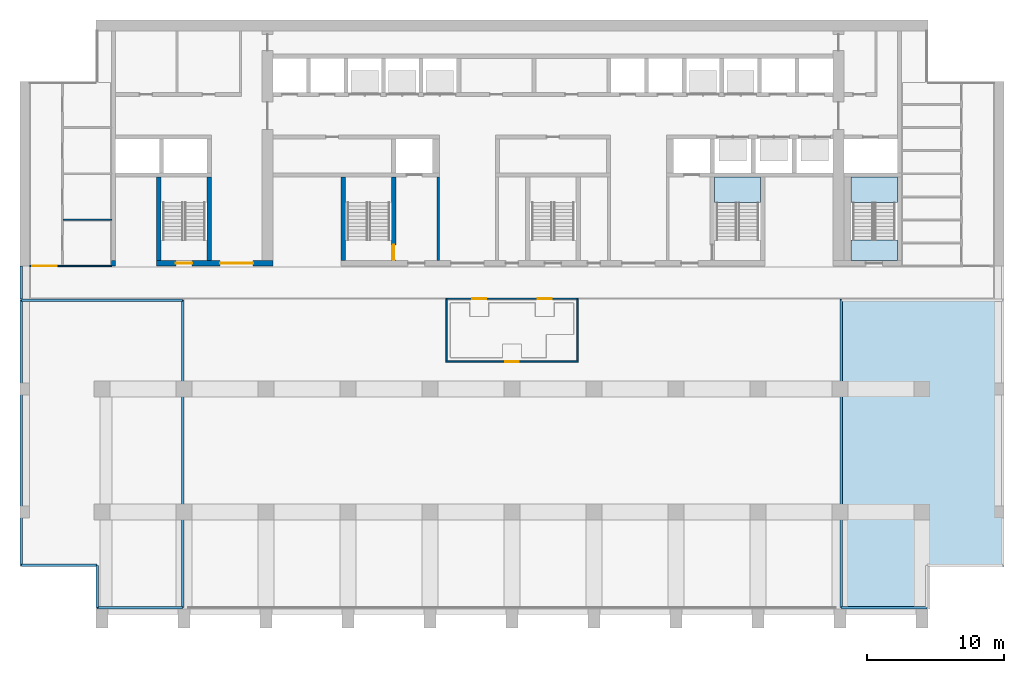
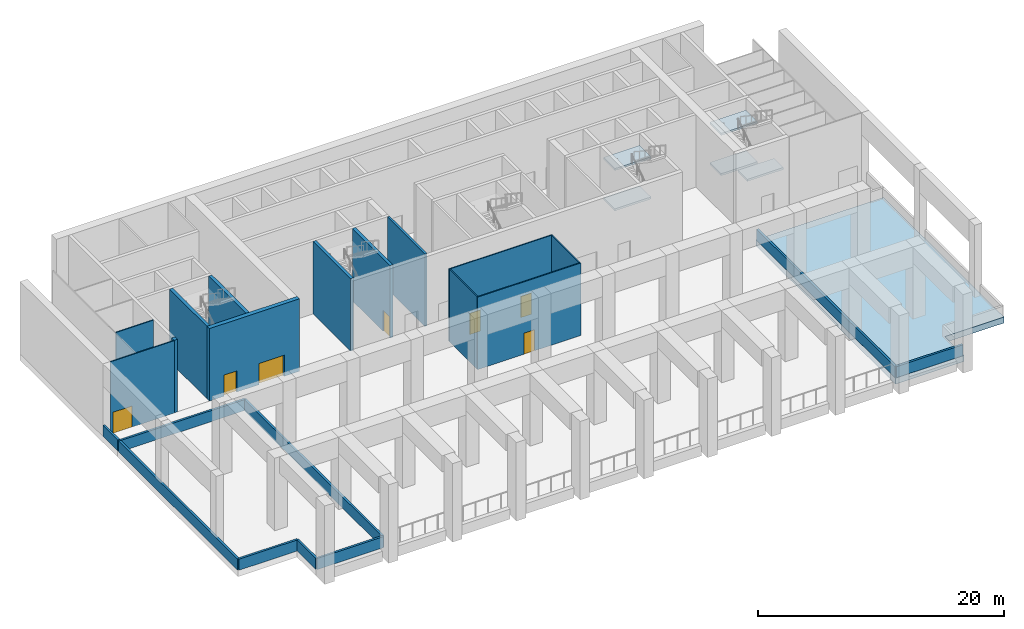
# One storey, part 2 of 10: 22 walls, 7 doors, 6 slabs, 7 openings, 2 elements without a shape of their own.
"""IFC4 building model written with IfcOpenShell, lengths in metres."""

from ifc_helpers import new_model, si_unit, direction, frame, frame_2d, origin, place, context, subcontext, project, spatial, polyline, rectangle, outline, extrude, material, layer, layer_set, type_object, element, fill, aggregate, save


model = new_model("IFC4")

# Units and contexts
model_context = context("Model", 3, precision=1e-05, world=origin(), true_north=direction((0.0, 1.0)))
body_context = subcontext(model_context, "Body", "Model", "MODEL_VIEW")
ifc_project = project(units=[si_unit("LENGTHUNIT", "METRE"), si_unit("AREAUNIT", "SQUARE_METRE"), si_unit("VOLUMEUNIT", "CUBIC_METRE"), si_unit("PLANEANGLEUNIT", "RADIAN"), si_unit("MASSUNIT", "GRAM", prefix="KILO")], contexts=[model_context])

# Site, building, storey
site_placement = place(None, origin())
site = spatial("IfcSite", under=ifc_project, at=site_placement, CompositionType="ELEMENT")
building_placement = place(site_placement, origin())
building = spatial("IfcBuilding", under=site, at=building_placement, Name="Calvaro Tower", CompositionType="ELEMENT")
storey_placement = place(building_placement, frame((0.0, 0.0, 158.75)))
storey = spatial("IfcBuildingStorey", under=building, at=storey_placement, Name="L40", CompositionType="ELEMENT", Elevation=158.75)

# Slab
ifc_material_1 = material(Name="Concrete C40/50", Category="concrete")
ifc_layer_1 = layer(ifc_material_1, 0.60009765625)
ifc_layer_set_1 = layer_set([ifc_layer_1], Name="Concrete C40/50")
slab_type_1 = type_object("IfcSlabType", Name="Maintenance roof slab 600 C40/50", PredefinedType="ROOF", material=ifc_layer_set_1)
slab_1_placement = place(storey_placement, frame((0.0, 0.0, -0.60009765625)))
element("IfcSlab", 1, at=slab_1_placement, inside=storey, type_object=slab_type_1, Name="Maintenance roof slab", PredefinedType="ROOF", context=body_context, shape_type="SweptSolid", body=[
    extrude(outline(polyline([(72.0, 25.60009765625), (72.0, 6.0), (66.449951171875, 6.0), (66.449951171875, 2.89990234375), (60.0, 2.89990234375), (60.0, 25.60009765625), (72.0, 25.60009765625)])), origin(), (0.0, 0.0, 1.0), 0.60009765625),
])

# Stair, slabs
ifc_material_2 = material(Name="Concrete C40/50", Category="concrete")
stair_type = type_object("IfcStairType", Name="Exit stair 1400 4 flights", PredefinedType="DOUBLE_RETURN_STAIR", material=ifc_material_2)
stair_1_placement = place(storey_placement, origin())
stair_1 = element("IfcStair", 2, at=stair_1_placement, inside=storey, type_object=stair_type, Name="Exit stair S4", PredefinedType="DOUBLE_RETURN_STAIR")
ifc_material_3 = material(Name="Concrete C40/50", Category="concrete")
ifc_layer_2 = layer(ifc_material_3, 0.199951171875)
ifc_layer_set_2 = layer_set([ifc_layer_2], Name="Concrete C40/50")
slab_type_2 = type_object("IfcSlabType", Name="Stair landing", PredefinedType="LANDING", material=ifc_layer_set_2)
slab_2_placement = place(storey_placement, frame((0.0, 0.0, 1.800048828125)))
slab_2 = element("IfcSlab", 3, at=slab_2_placement, type_object=slab_type_2, Name="Exit stair 4, landing 1", PredefinedType="LANDING", context=body_context, shape_type="SweptSolid", body=[
    extrude(outline(polyline([(52.39990234375, 32.639892578125), (51.0, 32.639892578125), (51.0, 32.64990234375), (50.800048828125, 32.64990234375), (50.800048828125, 34.5), (51.0, 34.5), (52.39990234375, 34.5), (52.60009765625, 34.5), (54.0, 34.5), (54.199951171875, 34.5), (54.199951171875, 32.64990234375), (54.0, 32.64990234375), (54.0, 32.639892578125), (52.60009765625, 32.639892578125), (52.60009765625, 32.64990234375), (52.39990234375, 32.64990234375), (52.39990234375, 32.639892578125)])), origin(), (0.0, 0.0, 1.0), 0.199951171875),
])
slab_3_placement = place(storey_placement, frame((0.0, 0.0, 5.800048828125)))
slab_3 = element("IfcSlab", 4, at=slab_3_placement, type_object=slab_type_2, Name="Exit stair 4, landing 3", PredefinedType="LANDING", context=body_context, shape_type="SweptSolid", body=[
    extrude(outline(polyline([(52.39990234375, 32.639892578125), (51.0, 32.639892578125), (51.0, 32.64990234375), (50.800048828125, 32.64990234375), (50.800048828125, 34.5), (51.0, 34.5), (52.39990234375, 34.5), (52.60009765625, 34.5), (54.0, 34.5), (54.199951171875, 34.5), (54.199951171875, 32.64990234375), (54.0, 32.64990234375), (54.0, 32.639892578125), (52.60009765625, 32.639892578125), (52.60009765625, 32.64990234375), (52.39990234375, 32.64990234375), (52.39990234375, 32.639892578125)])), origin(), (0.0, 0.0, 1.0), 0.199951171875),
])
aggregate(stair_1, [slab_2, slab_3])

stair_2_placement = place(storey_placement, origin())
stair_2 = element("IfcStair", 5, at=stair_2_placement, inside=storey, type_object=stair_type, Name="Exit stair S5", PredefinedType="DOUBLE_RETURN_STAIR")
slab_4_placement = place(storey_placement, frame((0.0, 0.0, 1.800048828125)))
slab_4 = element("IfcSlab", 6, at=slab_4_placement, type_object=slab_type_2, Name="Exit stair 5, landing 1", PredefinedType="LANDING", context=body_context, shape_type="SweptSolid", body=[
    extrude(outline(polyline([(62.39990234375, 32.639892578125), (61.0, 32.639892578125), (61.0, 32.64990234375), (60.800048828125, 32.64990234375), (60.800048828125, 34.5), (61.0, 34.5), (62.39990234375, 34.5), (62.60009765625, 34.5), (64.0, 34.5), (64.199951171875, 34.5), (64.199951171875, 32.64990234375), (64.0, 32.64990234375), (64.0, 32.639892578125), (62.60009765625, 32.639892578125), (62.60009765625, 32.64990234375), (62.39990234375, 32.64990234375), (62.39990234375, 32.639892578125)])), origin(), (0.0, 0.0, 1.0), 0.199951171875),
])
slab_5_placement = place(storey_placement, frame((0.0, 0.0, 3.800048828125)))
slab_5 = element("IfcSlab", 7, at=slab_5_placement, type_object=slab_type_2, Name="Exit stair 5, landing 2", PredefinedType="LANDING", context=body_context, shape_type="SweptSolid", body=[
    extrude(outline(polyline([(64.199951171875, 29.909912109375), (64.199951171875, 28.39990234375), (60.800048828125, 28.39990234375), (60.800048828125, 29.909912109375), (61.0, 29.909912109375), (62.39990234375, 29.909912109375), (64.199951171875, 29.909912109375)])), origin(), (0.0, 0.0, 1.0), 0.199951171875),
])
slab_6_placement = place(storey_placement, frame((0.0, 0.0, 5.800048828125)))
slab_6 = element("IfcSlab", 8, at=slab_6_placement, type_object=slab_type_2, Name="Exit stair 5, landing 3", PredefinedType="LANDING", context=body_context, shape_type="SweptSolid", body=[
    extrude(outline(polyline([(62.39990234375, 32.639892578125), (61.0, 32.639892578125), (61.0, 32.64990234375), (60.800048828125, 32.64990234375), (60.800048828125, 34.5), (61.0, 34.5), (62.39990234375, 34.5), (62.60009765625, 34.5), (64.0, 34.5), (64.199951171875, 34.5), (64.199951171875, 32.64990234375), (64.0, 32.64990234375), (64.0, 32.639892578125), (62.60009765625, 32.639892578125), (62.60009765625, 32.64990234375), (62.39990234375, 32.64990234375), (62.39990234375, 32.639892578125)])), origin(), (0.0, 0.0, 1.0), 0.199951171875),
])
aggregate(stair_2, [slab_4, slab_5, slab_6])

# Walls
ifc_material_4 = material(Name="Blockwork partition", Category="masonry")
ifc_layer_3 = layer(ifc_material_4, 0.199951171875)
ifc_layer_set_3 = layer_set([ifc_layer_3], Name="Blockwork partition")
wall_type_1 = type_object("IfcWallType", Name="Core partition 200 REI 120", PredefinedType="PARTITIONING", material=ifc_layer_set_3)
wall_1_placement = place(storey_placement, frame((30.60009765625, 28.39990234375, 0.0), z_axis=(0.0, 0.0, 1.0), x_axis=(0.0, 1.0, 0.0)))
element("IfcWall", 9, at=wall_1_placement, inside=storey, type_object=wall_type_1, Name="Core partition", PredefinedType="PARTITIONING", context=body_context, shape_type="SweptSolid", body=[
    extrude(rectangle(XDim=6.10009765625, YDim=0.199951171875, at=frame_2d((3.050048828125, 0.0))), origin(), (0.0, 0.0, 1.0), 7.199951171875),
])
ifc_material_5 = material(Name="Concrete C60/75", Category="concrete")
ifc_layer_4 = layer(ifc_material_5, 0.300048828125)
ifc_layer_set_4 = layer_set([ifc_layer_4], Name="Concrete C60/75")
wall_type_2 = type_object("IfcWallType", Name="Core wall C60/75 300", PredefinedType="SHEAR", material=ifc_layer_set_4)
wall_2_placement = place(storey_placement, frame((6.85009765625, 28.0, 0.0), z_axis=(0.0, 0.0, 1.0), x_axis=(0.0, 1.0, 0.0)))
element("IfcWall", 10, at=wall_2_placement, inside=storey, type_object=wall_type_2, Name="Core wall, front", PredefinedType="SHEAR", context=body_context, shape_type="SweptSolid", body=[
    extrude(rectangle(XDim=0.39990234375, YDim=0.300048828125, at=frame_2d((0.199951171875, 0.0))), origin(), (0.0, 0.0, 1.0), 7.199951171875),
])
for number, where, z_axis, x_axis, name in (
    (11, (10.14990234375, 28.39990234375, 0.0), (0.0, 0.0, 1.0), (0.0, 1.0, 0.0), "Core wall, stair enclosure"),
    (12, (13.85009765625, 28.39990234375, 0.0), (0.0, 0.0, 1.0), (0.0, 1.0, 0.0), "Core wall, stair enclosure"),
    (13, (23.64990234375, 28.39990234375, 0.0), (0.0, 0.0, 1.0), (0.0, 1.0, 0.0), "Core wall, stair enclosure"),
):
    element("IfcWall", number, at=place(storey_placement, frame(where, z_axis=z_axis, x_axis=x_axis)), inside=storey, type_object=wall_type_2, Name=name, PredefinedType="SHEAR", context=body_context, shape_type="SweptSolid", body=[
        extrude(rectangle(XDim=6.10009765625, YDim=0.300048828125, at=frame_2d((3.050048828125, 0.0))), origin(), (0.0, 0.0, 1.0), 7.199951171875),
    ])

# Wall, opening, door
wall_3_placement = place(storey_placement, frame((27.35009765625, 28.39990234375, 0.0), z_axis=(0.0, 0.0, 1.0), x_axis=(0.0, 1.0, 0.0)))
wall_3 = element("IfcWall", 14, at=wall_3_placement, inside=storey, type_object=wall_type_2, Name="Core wall, stair enclosure", PredefinedType="SHEAR", context=body_context, shape_type="SweptSolid", body=[
    extrude(rectangle(XDim=6.10009765625, YDim=0.300048828125, at=frame_2d((3.050048828125, 0.0))), origin(), (0.0, 0.0, 1.0), 7.199951171875),
])
opening_1_placement = place(wall_3_placement, frame((0.050048828125, 0.0, 0.0)))
opening_1 = element("IfcOpeningElement", 15, at=opening_1_placement, cuts=wall_3, Name="Opening FD11D", PredefinedType="OPENING", context=body_context, shape_type="SweptSolid", body=[
    extrude(rectangle(XDim=1.10009765625, YDim=2.10009765625, at=frame_2d((0.550048828125, 1.050048828125))), frame((0.0, 0.159912109375, 0.0), z_axis=(0.0, -1.0, 0.0), x_axis=(1.0, 0.0, 0.0)), (0.0, 0.0, 1.0), 0.320068359375),
])
ifc_material_6 = material(Name="Steel door set", Category="steel")
door_type_1 = type_object("IfcDoorType", Name="Fire door 1100 FD30S", OperationType="SINGLE_SWING_LEFT", PredefinedType="DOOR", material=ifc_material_6)
door_1_placement = place(opening_1_placement, origin())
door_1 = element("IfcDoor", 16, at=door_1_placement, inside=storey, type_object=door_type_1, Name="Fire door", OperationType="SINGLE_SWING_LEFT", OverallHeight=2.10009765625, OverallWidth=1.10009765625, PredefinedType="DOOR", context=body_context, shape_type="SweptSolid", body=[
    extrude(rectangle(XDim=1.10009765625, YDim=2.10009765625, at=frame_2d((0.550048828125, 1.050048828125))), frame((0.0, 0.02490234375, 0.0), z_axis=(0.0, -1.0, 0.0), x_axis=(1.0, 0.0, 0.0)), (0.0, 0.0, 1.0), 0.050048828125),
])
fill(opening_1, door_1)

# Wall, openings, doors
ifc_material_7 = material(Name="Concrete C60/75", Category="concrete")
ifc_layer_5 = layer(ifc_material_7, 0.39990234375)
ifc_layer_set_5 = layer_set([ifc_layer_5], Name="Concrete C60/75")
wall_type_3 = type_object("IfcWallType", Name="Core wall C60/75 400", PredefinedType="SHEAR", material=ifc_layer_set_5)
wall_4_placement = place(storey_placement, frame((10.0, 28.199951171875, 0.0), z_axis=(0.0, 0.0, 1.0), x_axis=(1.0, 0.0, 0.0)))
wall_4 = element("IfcWall", 17, at=wall_4_placement, inside=storey, type_object=wall_type_3, Name="Core wall, front", PredefinedType="SHEAR", context=body_context, shape_type="SweptSolid", body=[
    extrude(rectangle(XDim=8.5, YDim=0.39990234375, at=frame_2d((4.25, 0.0))), origin(), (0.0, 0.0, 1.0), 7.199951171875),
])
opening_2_placement = place(wall_4_placement, frame((1.39990234375, 0.0, 0.0)))
opening_2 = element("IfcOpeningElement", 18, at=opening_2_placement, cuts=wall_4, Name="Opening SD12D", PredefinedType="OPENING", context=body_context, shape_type="SweptSolid", body=[
    extrude(rectangle(XDim=1.199951171875, YDim=2.10009765625, at=frame_2d((0.60009765625, 1.050048828125))), frame((0.0, 0.2099609375, 0.0), z_axis=(0.0, -1.0, 0.0), x_axis=(1.0, 0.0, 0.0)), (0.0, 0.0, 1.0), 0.419921875),
])
opening_3_placement = place(wall_4_placement, frame((4.64990234375, 0.0, 0.0)))
opening_3 = element("IfcOpeningElement", 19, at=opening_3_placement, cuts=wall_4, Name="Opening DD24D", PredefinedType="OPENING", context=body_context, shape_type="SweptSolid", body=[
    extrude(rectangle(XDim=2.39990234375, YDim=2.10009765625, at=frame_2d((1.199951171875, 1.050048828125))), frame((0.0, 0.2099609375, 0.0), z_axis=(0.0, -1.0, 0.0), x_axis=(1.0, 0.0, 0.0)), (0.0, 0.0, 1.0), 0.419921875),
])
ifc_material_8 = material(Name="Steel door set", Category="steel")
door_type_2 = type_object("IfcDoorType", Name="Lobby double door 2400 FD30S", OperationType="DOUBLE_DOOR_SINGLE_SWING", PredefinedType="DOOR", material=ifc_material_8)
door_2_placement = place(opening_3_placement, origin())
door_2 = element("IfcDoor", 20, at=door_2_placement, inside=storey, type_object=door_type_2, Name="Lobby double door", OperationType="DOUBLE_DOOR_SINGLE_SWING", OverallHeight=2.10009765625, OverallWidth=2.39990234375, PredefinedType="DOOR", context=body_context, shape_type="SweptSolid", body=[
    extrude(rectangle(XDim=2.39990234375, YDim=2.10009765625, at=frame_2d((1.199951171875, 1.050048828125))), frame((0.0, 0.02490234375, 0.0), z_axis=(0.0, -1.0, 0.0), x_axis=(1.0, 0.0, 0.0)), (0.0, 0.0, 1.0), 0.050048828125),
])
fill(opening_3, door_2)
ifc_material_9 = material(Name="Steel door set", Category="steel")
door_type_3 = type_object("IfcDoorType", Name="Stair door 1200 FD30S", OperationType="SINGLE_SWING_LEFT", PredefinedType="DOOR", material=ifc_material_9)
door_3_placement = place(opening_2_placement, origin())
door_3 = element("IfcDoor", 21, at=door_3_placement, inside=storey, type_object=door_type_3, Name="Stair door", OperationType="SINGLE_SWING_LEFT", OverallHeight=2.10009765625, OverallWidth=1.199951171875, PredefinedType="DOOR", context=body_context, shape_type="SweptSolid", body=[
    extrude(rectangle(XDim=1.199951171875, YDim=2.10009765625, at=frame_2d((0.60009765625, 1.050048828125))), frame((0.0, 0.02490234375, 0.0), z_axis=(0.0, -1.0, 0.0), x_axis=(1.0, 0.0, 0.0)), (0.0, 0.0, 1.0), 0.050048828125),
])
fill(opening_2, door_3)

# Wall, opening, door
ifc_material_10 = material(Name="Glass", Category="glass")
ifc_layer_6 = layer(ifc_material_10, 0.10009765625)
ifc_layer_set_6 = layer_set([ifc_layer_6], Name="Glass")
wall_type_4 = type_object("IfcWallType", Name="External glazed partition 100", PredefinedType="PARTITIONING", material=ifc_layer_set_6)
wall_5_placement = place(storey_placement, frame((31.14990234375, 21.0, 0.0), z_axis=(0.0, 0.0, 1.0), x_axis=(1.0, 0.0, 0.0)))
wall_5 = element("IfcWall", 22, at=wall_5_placement, inside=storey, type_object=wall_type_4, Name="Partition T24.W001", PredefinedType="PARTITIONING", context=body_context, shape_type="SweptSolid", body=[
    extrude(rectangle(XDim=9.7001953125, YDim=0.10009765625, at=frame_2d((4.85009765625, 0.0))), origin(), (0.0, 0.0, 1.0), 7.199951171875),
])
opening_4_placement = place(wall_5_placement, frame((4.35009765625, 0.0, 0.0)))
opening_4 = element("IfcOpeningElement", 23, at=opening_4_placement, cuts=wall_5, Name="Opening T24.004", PredefinedType="OPENING", context=body_context, shape_type="SweptSolid", body=[
    extrude(rectangle(XDim=1.0, YDim=2.10009765625, at=frame_2d((0.5, 1.050048828125))), frame((0.0, 0.06005859375, 0.0), z_axis=(0.0, -1.0, 0.0), x_axis=(1.0, 0.0, 0.0)), (0.0, 0.0, 1.0), 0.1201171875),
])
ifc_material_11 = material(Name="Glass", Category="glass")
door_type_4 = type_object("IfcDoorType", Name="External glazed single door 1000 x 2100", OperationType="SINGLE_SWING_LEFT", PredefinedType="DOOR", material=ifc_material_11)
door_4_placement = place(opening_4_placement, origin())
door_4 = element("IfcDoor", 24, at=door_4_placement, inside=storey, type_object=door_type_4, Name="Door T24.004", OperationType="SINGLE_SWING_LEFT", OverallHeight=2.10009765625, OverallWidth=1.0, PredefinedType="DOOR", context=body_context, shape_type="SweptSolid", body=[
    extrude(rectangle(XDim=1.0, YDim=2.10009765625, at=frame_2d((0.5, 1.050048828125))), frame((0.0, 0.02490234375, 0.0), z_axis=(0.0, -1.0, 0.0), x_axis=(1.0, 0.0, 0.0)), (0.0, 0.0, 1.0), 0.050048828125),
])
fill(opening_4, door_4)

# Walls
for number, where, z_axis, x_axis, name in (
    (25, (31.199951171875, 21.050048828125, 0.0), (0.0, 0.0, 1.0), (0.0, 1.0, 0.0), "Partition T24.W016"),
    (26, (40.800048828125, 21.050048828125, 0.0), (0.0, 0.0, 1.0), (0.0, 1.0, 0.0), "Partition T24.W017"),
):
    element("IfcWall", number, at=place(storey_placement, frame(where, z_axis=z_axis, x_axis=x_axis)), inside=storey, type_object=wall_type_4, Name=name, PredefinedType="PARTITIONING", context=body_context, shape_type="SweptSolid", body=[
        extrude(rectangle(XDim=4.5, YDim=0.10009765625, at=frame_2d((2.25, 0.0))), origin(), (0.0, 0.0, 1.0), 7.199951171875),
    ])
ifc_material_12 = material(Name="Plasterboard on steel studs", Category="steel")
ifc_layer_7 = layer(ifc_material_12, 0.199951171875)
ifc_layer_set_7 = layer_set([ifc_layer_7], Name="Plasterboard on steel studs")
wall_type_5 = type_object("IfcWallType", Name="External partition 200", PredefinedType="PARTITIONING", material=ifc_layer_set_7)
wall_6_placement = place(storey_placement, frame((5.64990234375, 6.10009765625, 0.0), z_axis=(0.0, 0.0, 1.0), x_axis=(-1.0, 0.0, 0.0)))
element("IfcWall", 27, at=wall_6_placement, inside=storey, type_object=wall_type_5, Name="Roof parapet 01", PredefinedType="PARTITIONING", context=body_context, shape_type="SweptSolid", body=[
    extrude(rectangle(XDim=5.5498046875, YDim=0.199951171875, at=frame_2d((2.77490234375, 0.0))), origin(), (0.0, 0.0, 1.0), 1.10009765625),
])
wall_7_placement = place(storey_placement, frame((0.10009765625, 6.10009765625, 0.0), z_axis=(0.0, 0.0, 1.0), x_axis=(0.0, 1.0, 0.0)))
element("IfcWall", 28, at=wall_7_placement, inside=storey, type_object=wall_type_5, Name="Roof parapet 02", PredefinedType="PARTITIONING", context=body_context, shape_type="SweptSolid", body=[
    extrude(rectangle(XDim=19.39990234375, YDim=0.199951171875, at=frame_2d((9.699951171875, 0.0))), origin(), (0.0, 0.0, 1.0), 1.10009765625),
])
wall_8_placement = place(storey_placement, frame((0.10009765625, 25.5, 0.0), z_axis=(0.0, 0.0, 1.0), x_axis=(1.0, 0.0, 0.0)))
element("IfcWall", 29, at=wall_8_placement, inside=storey, type_object=wall_type_5, Name="Roof parapet 03", PredefinedType="PARTITIONING", context=body_context, shape_type="SweptSolid", body=[
    extrude(rectangle(XDim=11.7998046875, YDim=0.199951171875, at=frame_2d((5.89990234375, 0.0))), origin(), (0.0, 0.0, 1.0), 1.10009765625),
])
wall_9_placement = place(storey_placement, frame((11.89990234375, 25.5, 0.0), z_axis=(0.0, 0.0, 1.0), x_axis=(0.0, -1.0, 0.0)))
element("IfcWall", 30, at=wall_9_placement, inside=storey, type_object=wall_type_5, Name="Roof parapet 04", PredefinedType="PARTITIONING", context=body_context, shape_type="SweptSolid", body=[
    extrude(rectangle(XDim=22.5, YDim=0.199951171875, at=frame_2d((11.25, 0.0))), origin(), (0.0, 0.0, 1.0), 1.10009765625),
])
wall_10_placement = place(storey_placement, frame((11.89990234375, 3.0, 0.0), z_axis=(0.0, 0.0, 1.0), x_axis=(-1.0, 0.0, 0.0)))
element("IfcWall", 31, at=wall_10_placement, inside=storey, type_object=wall_type_5, Name="Roof parapet 05", PredefinedType="PARTITIONING", context=body_context, shape_type="SweptSolid", body=[
    extrude(rectangle(XDim=6.25, YDim=0.199951171875, at=frame_2d((3.125, 0.0))), origin(), (0.0, 0.0, 1.0), 1.10009765625),
])
wall_11_placement = place(storey_placement, frame((5.64990234375, 3.0, 0.0), z_axis=(0.0, 0.0, 1.0), x_axis=(0.0, 1.0, 0.0)))
element("IfcWall", 32, at=wall_11_placement, inside=storey, type_object=wall_type_5, Name="Roof parapet 06", PredefinedType="PARTITIONING", context=body_context, shape_type="SweptSolid", body=[
    extrude(rectangle(XDim=3.10009765625, YDim=0.199951171875, at=frame_2d((1.550048828125, 0.0))), origin(), (0.0, 0.0, 1.0), 1.10009765625),
])
wall_12_placement = place(storey_placement, frame((66.35009765625, 3.0, 0.0), z_axis=(0.0, 0.0, 1.0), x_axis=(-1.0, 0.0, 0.0)))
element("IfcWall", 33, at=wall_12_placement, inside=storey, type_object=wall_type_5, Name="Roof parapet 10", PredefinedType="PARTITIONING", context=body_context, shape_type="SweptSolid", body=[
    extrude(rectangle(XDim=6.25, YDim=0.199951171875, at=frame_2d((3.125, 0.0))), origin(), (0.0, 0.0, 1.0), 1.10009765625),
])
wall_13_placement = place(storey_placement, frame((60.10009765625, 3.0, 0.0), z_axis=(0.0, 0.0, 1.0), x_axis=(0.0, 1.0, 0.0)))
element("IfcWall", 34, at=wall_13_placement, inside=storey, type_object=wall_type_5, Name="Roof parapet 11", PredefinedType="PARTITIONING", context=body_context, shape_type="SweptSolid", body=[
    extrude(rectangle(XDim=22.5, YDim=0.199951171875, at=frame_2d((11.25, 0.0))), origin(), (0.0, 0.0, 1.0), 1.10009765625),
])
wall_14_placement = place(storey_placement, frame((0.10009765625, 25.60009765625, 0.0), z_axis=(0.0, 0.0, 1.0), x_axis=(0.0, 1.0, 0.0)))
element("IfcWall", 35, at=wall_14_placement, inside=storey, type_object=wall_type_5, Name="Roof parapet 13", PredefinedType="PARTITIONING", context=body_context, shape_type="SweptSolid", body=[
    extrude(rectangle(XDim=2.39990234375, YDim=0.199951171875, at=frame_2d((1.199951171875, 0.0))), origin(), (0.0, 0.0, 1.0), 1.10009765625),
])

# Wall, openings, doors
ifc_material_13 = material(Name="Glass", Category="glass")
ifc_layer_8 = layer(ifc_material_13, 0.10009765625)
ifc_layer_set_8 = layer_set([ifc_layer_8], Name="Glass")
wall_type_6 = type_object("IfcWallType", Name="Glazed partition 100", PredefinedType="PARTITIONING", material=ifc_layer_set_8)
wall_15_placement = place(storey_placement, frame((31.14990234375, 25.60009765625, 0.0), z_axis=(0.0, 0.0, 1.0), x_axis=(1.0, 0.0, 0.0)))
wall_15 = element("IfcWall", 36, at=wall_15_placement, inside=storey, type_object=wall_type_6, Name="Partition T24.W002", PredefinedType="PARTITIONING", context=body_context, shape_type="SweptSolid", body=[
    extrude(rectangle(XDim=9.7001953125, YDim=0.10009765625, at=frame_2d((4.85009765625, 0.0))), origin(), (0.0, 0.0, 1.0), 7.199951171875),
])
opening_5_placement = place(wall_15_placement, frame((1.949951171875, 0.0, 0.0)))
opening_5 = element("IfcOpeningElement", 37, at=opening_5_placement, cuts=wall_15, Name="Opening T24.003", PredefinedType="OPENING", context=body_context, shape_type="SweptSolid", body=[
    extrude(rectangle(XDim=1.0, YDim=2.10009765625, at=frame_2d((0.5, 1.050048828125))), frame((0.0, 0.06005859375, 0.0), z_axis=(0.0, -1.0, 0.0), x_axis=(1.0, 0.0, 0.0)), (0.0, 0.0, 1.0), 0.1201171875),
])
opening_6_placement = place(wall_15_placement, frame((6.75, 0.0, 0.0)))
opening_6 = element("IfcOpeningElement", 38, at=opening_6_placement, cuts=wall_15, Name="Opening T24.005", PredefinedType="OPENING", context=body_context, shape_type="SweptSolid", body=[
    extrude(rectangle(XDim=1.0, YDim=2.10009765625, at=frame_2d((0.5, 1.050048828125))), frame((0.0, 0.06005859375, 0.0), z_axis=(0.0, -1.0, 0.0), x_axis=(1.0, 0.0, 0.0)), (0.0, 0.0, 1.0), 0.1201171875),
])
ifc_material_14 = material(Name="Glass", Category="glass")
door_type_5 = type_object("IfcDoorType", Name="Internal glazed single door 1000 x 2100", OperationType="SINGLE_SWING_LEFT", PredefinedType="DOOR", material=ifc_material_14)
door_5_placement = place(opening_5_placement, origin())
door_5 = element("IfcDoor", 39, at=door_5_placement, inside=storey, type_object=door_type_5, Name="Door T24.003", OperationType="SINGLE_SWING_LEFT", OverallHeight=2.10009765625, OverallWidth=1.0, PredefinedType="DOOR", context=body_context, shape_type="SweptSolid", body=[
    extrude(rectangle(XDim=1.0, YDim=2.10009765625, at=frame_2d((0.5, 1.050048828125))), frame((0.0, 0.02490234375, 0.0), z_axis=(0.0, -1.0, 0.0), x_axis=(1.0, 0.0, 0.0)), (0.0, 0.0, 1.0), 0.050048828125),
])
fill(opening_5, door_5)
door_6_placement = place(opening_6_placement, origin())
door_6 = element("IfcDoor", 40, at=door_6_placement, inside=storey, type_object=door_type_5, Name="Door T24.005", OperationType="SINGLE_SWING_RIGHT", OverallHeight=2.10009765625, OverallWidth=1.0, PredefinedType="DOOR", context=body_context, shape_type="SweptSolid", body=[
    extrude(rectangle(XDim=1.0, YDim=2.10009765625, at=frame_2d((0.5, 1.050048828125))), frame((0.0, 0.02490234375, 0.0), z_axis=(0.0, -1.0, 0.0), x_axis=(1.0, 0.0, 0.0)), (0.0, 0.0, 1.0), 0.050048828125),
])
fill(opening_6, door_6)

# Wall, opening, door
ifc_material_15 = material(Name="Plasterboard on steel studs", Category="steel")
ifc_layer_9 = layer(ifc_material_15, 0.10009765625)
ifc_layer_set_9 = layer_set([ifc_layer_9], Name="Plasterboard on steel studs")
wall_type_7 = type_object("IfcWallType", Name="Partition 100", PredefinedType="PARTITIONING", material=ifc_layer_set_9)
wall_16_placement = place(storey_placement, frame((0.699951171875, 28.0, 0.0), z_axis=(0.0, 0.0, 1.0), x_axis=(1.0, 0.0, 0.0)))
wall_16 = element("IfcWall", 41, at=wall_16_placement, inside=storey, type_object=wall_type_7, Name="Partition T24.W003", PredefinedType="PARTITIONING", context=body_context, shape_type="SweptSolid", body=[
    extrude(rectangle(XDim=6.0, YDim=0.10009765625, at=frame_2d((3.0, 0.0))), origin(), (0.0, 0.0, 1.0), 7.199951171875),
])
opening_7_placement = place(wall_16_placement, frame((0.199951171875, 0.0, 0.0)))
opening_7 = element("IfcOpeningElement", 42, at=opening_7_placement, cuts=wall_16, Name="Opening T24.001", PredefinedType="OPENING", context=body_context, shape_type="SweptSolid", body=[
    extrude(rectangle(XDim=1.800048828125, YDim=2.10009765625, at=frame_2d((0.89990234375, 1.050048828125))), frame((0.0, 0.06005859375, 0.0), z_axis=(0.0, -1.0, 0.0), x_axis=(1.0, 0.0, 0.0)), (0.0, 0.0, 1.0), 0.1201171875),
])
ifc_material_16 = material(Name="Timber", Category="wood")
door_type_6 = type_object("IfcDoorType", Name="Internal double door 1800 x 2100", OperationType="DOUBLE_DOOR_SINGLE_SWING", PredefinedType="DOOR", material=ifc_material_16)
door_7_placement = place(opening_7_placement, origin())
door_7 = element("IfcDoor", 43, at=door_7_placement, inside=storey, type_object=door_type_6, Name="Door T24.001", OperationType="DOUBLE_DOOR_SINGLE_SWING", OverallHeight=2.10009765625, OverallWidth=1.800048828125, PredefinedType="DOOR", context=body_context, shape_type="SweptSolid", body=[
    extrude(rectangle(XDim=1.800048828125, YDim=2.10009765625, at=frame_2d((0.89990234375, 1.050048828125))), frame((0.0, 0.02490234375, 0.0), z_axis=(0.0, -1.0, 0.0), x_axis=(1.0, 0.0, 0.0)), (0.0, 0.0, 1.0), 0.050048828125),
])
fill(opening_7, door_7)

# Wall
wall_17_placement = place(storey_placement, frame((3.14990234375, 31.3798828125, 0.0), z_axis=(0.0, 0.0, 1.0), x_axis=(1.0, 0.0, 0.0)))
element("IfcWall", 44, at=wall_17_placement, inside=storey, type_object=wall_type_7, Name="Partition T24.W006", PredefinedType="PARTITIONING", context=body_context, shape_type="SweptSolid", body=[
    extrude(rectangle(XDim=3.550048828125, YDim=0.10009765625, at=frame_2d((1.77490234375, 0.0))), origin(), (0.0, 0.0, 1.0), 7.199951171875),
])

save(model, "model.ifc")
